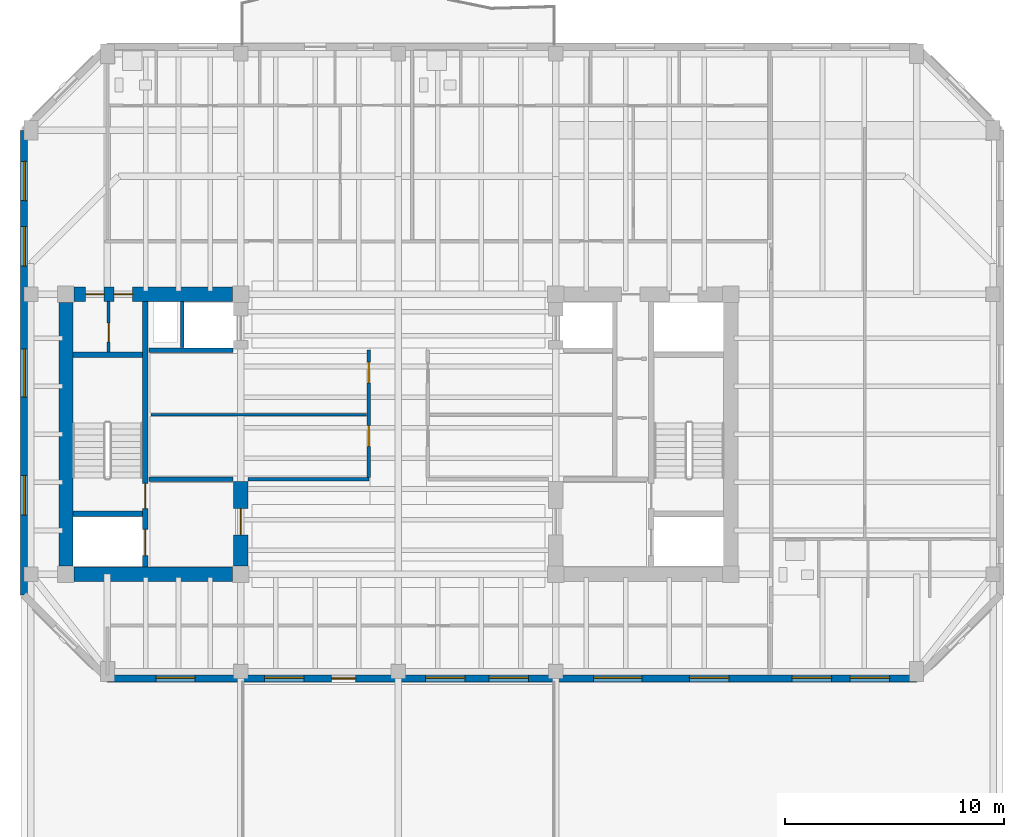
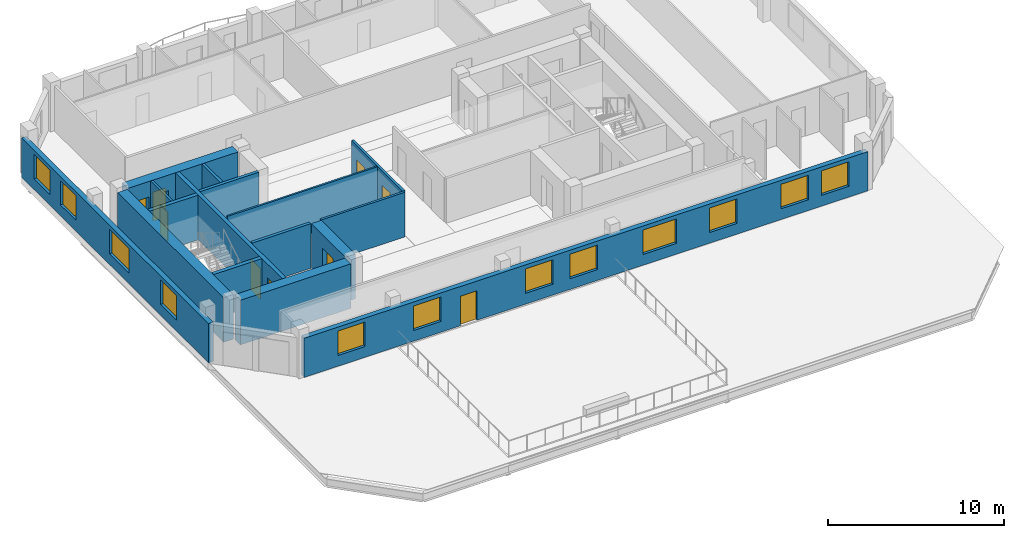
# One storey, part 3 of 10: 16 walls, 12 windows, 9 doors, 21 openings.
"""IFC4 building model written with IfcOpenShell, lengths in metres."""

from ifc_helpers import new_model, si_unit, direction, frame, frame_2d, origin, place, context, subcontext, project, spatial, rectangle, extrude, material, layer, layer_set, type_object, element, fill, save


model = new_model("IFC4")

# Units and contexts
model_context = context("Model", 3, precision=1e-05, world=origin(), true_north=direction((0.0, 1.0)))
body_context = subcontext(model_context, "Body", "Model", "MODEL_VIEW")
ifc_project = project(units=[si_unit("LENGTHUNIT", "METRE"), si_unit("AREAUNIT", "SQUARE_METRE"), si_unit("VOLUMEUNIT", "CUBIC_METRE"), si_unit("PLANEANGLEUNIT", "RADIAN"), si_unit("MASSUNIT", "GRAM", prefix="KILO")], contexts=[model_context])

# Site, building, storey
site_placement = place(None, origin())
site = spatial("IfcSite", under=ifc_project, at=site_placement, CompositionType="ELEMENT")
building_placement = place(site_placement, origin())
building = spatial("IfcBuilding", under=site, at=building_placement, Name="Kranthara Brick Stack", CompositionType="ELEMENT")
storey_placement = place(building_placement, frame((0.0, 0.0, 248.300048828125)))
storey = spatial("IfcBuildingStorey", under=building, at=storey_placement, Name="L65", CompositionType="ELEMENT", Elevation=248.300048828125)

# Wall, openings, door, windows
ifc_material_1 = material(Name="Warm buff clay brick masonry M15", Category="masonry")
ifc_layer_1 = layer(ifc_material_1, 0.320068359375)
ifc_layer_set_1 = layer_set([ifc_layer_1], Name="Warm buff clay brick masonry M15")
wall_type_1 = type_object("IfcWallType", Name="WL-BRK-UPPR-320", PredefinedType="STANDARD", material=ifc_layer_set_1)
wall_1_placement = place(storey_placement, frame((51.699951171875, 16.030029296875, 0.0), z_axis=(0.0, 0.0, 1.0), x_axis=(-1.0, 0.0, 0.0)))
wall_1 = element("IfcWall", 1, at=wall_1_placement, inside=storey, type_object=wall_type_1, Name="L65 Exterior Brick Facade Wall SOUTH 1", PredefinedType="STANDARD", context=body_context, shape_type="SweptSolid", body=[
    extrude(rectangle(XDim=37.0, YDim=0.320068359375, at=frame_2d((18.5, 0.0))), origin(), (0.0, 0.0, 1.0), 2.724853515625),
])
opening_1_placement = place(wall_1_placement, frame((25.64990234375, 0.0, 0.0)))
opening_1 = element("IfcOpeningElement", 2, at=opening_1_placement, cuts=wall_1, Name="Opening D02", PredefinedType="OPENING", context=body_context, shape_type="SweptSolid", body=[
    extrude(rectangle(XDim=1.10009765625, YDim=2.050048828125, at=frame_2d((0.550048828125, 1.02490234375))), frame((0.0, 0.169921875, 0.0), z_axis=(0.0, -1.0, 0.0), x_axis=(1.0, 0.0, 0.0)), (0.0, 0.0, 1.0), 0.340087890625),
])
opening_2_placement = place(wall_1_placement, frame((1.235107421875, 0.0, 0.75)))
opening_2 = element("IfcOpeningElement", 3, at=opening_2_placement, cuts=wall_1, Name="Opening WN07", PredefinedType="OPENING", context=body_context, shape_type="SweptSolid", body=[
    extrude(rectangle(XDim=1.800048828125, YDim=1.699951171875, at=frame_2d((0.89990234375, 0.85009765625))), frame((0.0, 0.169921875, 0.0), z_axis=(0.0, -1.0, 0.0), x_axis=(1.0, 0.0, 0.0)), (0.0, 0.0, 1.0), 0.340087890625),
])
opening_3_placement = place(wall_1_placement, frame((3.885009765625, 0.0, 0.75)))
opening_3 = element("IfcOpeningElement", 4, at=opening_3_placement, cuts=wall_1, Name="Opening WN07", PredefinedType="OPENING", context=body_context, shape_type="SweptSolid", body=[
    extrude(rectangle(XDim=1.800048828125, YDim=1.699951171875, at=frame_2d((0.89990234375, 0.85009765625))), frame((0.0, 0.169921875, 0.0), z_axis=(0.0, -1.0, 0.0), x_axis=(1.0, 0.0, 0.0)), (0.0, 0.0, 1.0), 0.340087890625),
])
opening_4_placement = place(wall_1_placement, frame((8.5830078125, 0.0, 0.75)))
opening_4 = element("IfcOpeningElement", 5, at=opening_4_placement, cuts=wall_1, Name="Opening WN07", PredefinedType="OPENING", context=body_context, shape_type="SweptSolid", body=[
    extrude(rectangle(XDim=1.800048828125, YDim=1.699951171875, at=frame_2d((0.89990234375, 0.85009765625))), frame((0.0, 0.169921875, 0.0), z_axis=(0.0, -1.0, 0.0), x_axis=(1.0, 0.0, 0.0)), (0.0, 0.0, 1.0), 0.340087890625),
])
opening_5_placement = place(wall_1_placement, frame((12.56201171875, 0.0, 0.75)))
opening_5 = element("IfcOpeningElement", 6, at=opening_5_placement, cuts=wall_1, Name="Opening WN08", PredefinedType="OPENING", context=body_context, shape_type="SweptSolid", body=[
    extrude(rectangle(XDim=2.199951171875, YDim=1.699951171875, at=frame_2d((1.10009765625, 0.85009765625))), frame((0.0, 0.169921875, 0.0), z_axis=(0.0, -1.0, 0.0), x_axis=(1.0, 0.0, 0.0)), (0.0, 0.0, 1.0), 0.340087890625),
])
opening_6_placement = place(wall_1_placement, frame((17.748046875, 0.0, 0.75)))
opening_6 = element("IfcOpeningElement", 7, at=opening_6_placement, cuts=wall_1, Name="Opening WN07", PredefinedType="OPENING", context=body_context, shape_type="SweptSolid", body=[
    extrude(rectangle(XDim=1.800048828125, YDim=1.699951171875, at=frame_2d((0.89990234375, 0.85009765625))), frame((0.0, 0.169921875, 0.0), z_axis=(0.0, -1.0, 0.0), x_axis=(1.0, 0.0, 0.0)), (0.0, 0.0, 1.0), 0.340087890625),
])
opening_7_placement = place(wall_1_placement, frame((20.652099609375, 0.0, 0.75)))
opening_7 = element("IfcOpeningElement", 8, at=opening_7_placement, cuts=wall_1, Name="Opening WN07", PredefinedType="OPENING", context=body_context, shape_type="SweptSolid", body=[
    extrude(rectangle(XDim=1.800048828125, YDim=1.699951171875, at=frame_2d((0.89990234375, 0.85009765625))), frame((0.0, 0.169921875, 0.0), z_axis=(0.0, -1.0, 0.0), x_axis=(1.0, 0.0, 0.0)), (0.0, 0.0, 1.0), 0.340087890625),
])
opening_8_placement = place(wall_1_placement, frame((28.012939453125, 0.0, 0.75)))
opening_8 = element("IfcOpeningElement", 9, at=opening_8_placement, cuts=wall_1, Name="Opening WN07", PredefinedType="OPENING", context=body_context, shape_type="SweptSolid", body=[
    extrude(rectangle(XDim=1.800048828125, YDim=1.699951171875, at=frame_2d((0.89990234375, 0.85009765625))), frame((0.0, 0.169921875, 0.0), z_axis=(0.0, -1.0, 0.0), x_axis=(1.0, 0.0, 0.0)), (0.0, 0.0, 1.0), 0.340087890625),
])
opening_9_placement = place(wall_1_placement, frame((32.988037109375, 0.0, 0.75)))
opening_9 = element("IfcOpeningElement", 10, at=opening_9_placement, cuts=wall_1, Name="Opening WN07", PredefinedType="OPENING", context=body_context, shape_type="SweptSolid", body=[
    extrude(rectangle(XDim=1.800048828125, YDim=1.699951171875, at=frame_2d((0.89990234375, 0.85009765625))), frame((0.0, 0.169921875, 0.0), z_axis=(0.0, -1.0, 0.0), x_axis=(1.0, 0.0, 0.0)), (0.0, 0.0, 1.0), 0.340087890625),
])
ifc_material_2 = material(Name="Bronze anodised aluminium and laminated glass", Category="aluminium")
door_type_1 = type_object("IfcDoorType", Name="DR-TERR-1100", OperationType="NOTDEFINED", PredefinedType="DOOR", material=ifc_material_2)
door_1_placement = place(opening_1_placement, origin())
door_1 = element("IfcDoor", 11, at=door_1_placement, inside=storey, type_object=door_type_1, Name="L65 Planted Sky Garden Terrace Door", OperationType="SINGLE_SWING_LEFT", OverallHeight=2.050048828125, OverallWidth=1.10009765625, PredefinedType="DOOR", context=body_context, shape_type="SweptSolid", body=[
    extrude(rectangle(XDim=1.10009765625, YDim=2.050048828125, at=frame_2d((0.550048828125, 1.02490234375))), frame((0.0, 0.02490234375, 0.0), z_axis=(0.0, -1.0, 0.0), x_axis=(1.0, 0.0, 0.0)), (0.0, 0.0, 1.0), 0.050048828125),
])
fill(opening_1, door_1)
ifc_material_3 = material(Name="Double-glazed low-E solar control glass", Category="glass")
window_type_1 = type_object("IfcWindowType", Name="WN-RES-1800x1850", PartitioningType="DOUBLE_PANEL_VERTICAL", PredefinedType="WINDOW", material=ifc_material_3)
window_1_placement = place(opening_2_placement, origin())
window_1 = element("IfcWindow", 12, at=window_1_placement, inside=storey, type_object=window_type_1, Name="L65 South Deep-Set Brick Window 01", OverallHeight=1.699951171875, OverallWidth=1.800048828125, PartitioningType="SINGLE_PANEL", PredefinedType="WINDOW", context=body_context, shape_type="SweptSolid", body=[
    extrude(rectangle(XDim=1.800048828125, YDim=1.699951171875, at=frame_2d((0.89990234375, 0.85009765625))), frame((0.0, -0.010009765625, 0.0), z_axis=(0.0, -1.0, 0.0), x_axis=(1.0, 0.0, 0.0)), (0.0, 0.0, 1.0), 0.06005859375),
])
fill(opening_2, window_1)
window_2_placement = place(opening_3_placement, origin())
window_2 = element("IfcWindow", 13, at=window_2_placement, inside=storey, type_object=window_type_1, Name="L65 South Deep-Set Brick Window 02", OverallHeight=1.699951171875, OverallWidth=1.800048828125, PartitioningType="SINGLE_PANEL", PredefinedType="WINDOW", context=body_context, shape_type="SweptSolid", body=[
    extrude(rectangle(XDim=1.800048828125, YDim=1.699951171875, at=frame_2d((0.89990234375, 0.85009765625))), frame((0.0, -0.010009765625, 0.0), z_axis=(0.0, -1.0, 0.0), x_axis=(1.0, 0.0, 0.0)), (0.0, 0.0, 1.0), 0.06005859375),
])
fill(opening_3, window_2)
window_3_placement = place(opening_4_placement, origin())
window_3 = element("IfcWindow", 14, at=window_3_placement, inside=storey, type_object=window_type_1, Name="L65 South Deep-Set Brick Window 03", OverallHeight=1.699951171875, OverallWidth=1.800048828125, PartitioningType="SINGLE_PANEL", PredefinedType="WINDOW", context=body_context, shape_type="SweptSolid", body=[
    extrude(rectangle(XDim=1.800048828125, YDim=1.699951171875, at=frame_2d((0.89990234375, 0.85009765625))), frame((0.0, -0.010009765625, 0.0), z_axis=(0.0, -1.0, 0.0), x_axis=(1.0, 0.0, 0.0)), (0.0, 0.0, 1.0), 0.06005859375),
])
fill(opening_4, window_3)
window_4_placement = place(opening_6_placement, origin())
window_4 = element("IfcWindow", 15, at=window_4_placement, inside=storey, type_object=window_type_1, Name="L65 South Deep-Set Brick Window 05", OverallHeight=1.699951171875, OverallWidth=1.800048828125, PartitioningType="SINGLE_PANEL", PredefinedType="WINDOW", context=body_context, shape_type="SweptSolid", body=[
    extrude(rectangle(XDim=1.800048828125, YDim=1.699951171875, at=frame_2d((0.89990234375, 0.85009765625))), frame((0.0, -0.010009765625, 0.0), z_axis=(0.0, -1.0, 0.0), x_axis=(1.0, 0.0, 0.0)), (0.0, 0.0, 1.0), 0.06005859375),
])
fill(opening_6, window_4)
window_5_placement = place(opening_7_placement, origin())
window_5 = element("IfcWindow", 16, at=window_5_placement, inside=storey, type_object=window_type_1, Name="L65 South Deep-Set Brick Window 06", OverallHeight=1.699951171875, OverallWidth=1.800048828125, PartitioningType="SINGLE_PANEL", PredefinedType="WINDOW", context=body_context, shape_type="SweptSolid", body=[
    extrude(rectangle(XDim=1.800048828125, YDim=1.699951171875, at=frame_2d((0.89990234375, 0.85009765625))), frame((0.0, -0.010009765625, 0.0), z_axis=(0.0, -1.0, 0.0), x_axis=(1.0, 0.0, 0.0)), (0.0, 0.0, 1.0), 0.06005859375),
])
fill(opening_7, window_5)
window_6_placement = place(opening_8_placement, origin())
window_6 = element("IfcWindow", 17, at=window_6_placement, inside=storey, type_object=window_type_1, Name="L65 South Deep-Set Brick Window 07", OverallHeight=1.699951171875, OverallWidth=1.800048828125, PartitioningType="SINGLE_PANEL", PredefinedType="WINDOW", context=body_context, shape_type="SweptSolid", body=[
    extrude(rectangle(XDim=1.800048828125, YDim=1.699951171875, at=frame_2d((0.89990234375, 0.85009765625))), frame((0.0, -0.010009765625, 0.0), z_axis=(0.0, -1.0, 0.0), x_axis=(1.0, 0.0, 0.0)), (0.0, 0.0, 1.0), 0.06005859375),
])
fill(opening_8, window_6)
window_7_placement = place(opening_9_placement, origin())
window_7 = element("IfcWindow", 18, at=window_7_placement, inside=storey, type_object=window_type_1, Name="L65 South Deep-Set Brick Window 08", OverallHeight=1.699951171875, OverallWidth=1.800048828125, PartitioningType="SINGLE_PANEL", PredefinedType="WINDOW", context=body_context, shape_type="SweptSolid", body=[
    extrude(rectangle(XDim=1.800048828125, YDim=1.699951171875, at=frame_2d((0.89990234375, 0.85009765625))), frame((0.0, -0.010009765625, 0.0), z_axis=(0.0, -1.0, 0.0), x_axis=(1.0, 0.0, 0.0)), (0.0, 0.0, 1.0), 0.06005859375),
])
fill(opening_9, window_7)
ifc_material_4 = material(Name="Double-glazed low-E solar control glass", Category="glass")
window_type_2 = type_object("IfcWindowType", Name="WN-RES-2200x1850", PartitioningType="TRIPLE_PANEL_VERTICAL", PredefinedType="WINDOW", material=ifc_material_4)
window_8_placement = place(opening_5_placement, origin())
window_8 = element("IfcWindow", 19, at=window_8_placement, inside=storey, type_object=window_type_2, Name="L65 South Deep-Set Brick Window 04", OverallHeight=1.699951171875, OverallWidth=2.199951171875, PartitioningType="SINGLE_PANEL", PredefinedType="WINDOW", context=body_context, shape_type="SweptSolid", body=[
    extrude(rectangle(XDim=2.199951171875, YDim=1.699951171875, at=frame_2d((1.10009765625, 0.85009765625))), frame((0.0, -0.010009765625, 0.0), z_axis=(0.0, -1.0, 0.0), x_axis=(1.0, 0.0, 0.0)), (0.0, 0.0, 1.0), 0.06005859375),
])
fill(opening_5, window_8)

# Wall, openings, windows
wall_2_placement = place(storey_placement, frame((10.8798828125, 19.85009765625, 0.0), z_axis=(0.0, 0.0, 1.0), x_axis=(0.0, 1.0, 0.0)))
wall_2 = element("IfcWall", 20, at=wall_2_placement, inside=storey, type_object=wall_type_1, Name="L65 Exterior Brick Facade Wall WEST 1", PredefinedType="STANDARD", context=body_context, shape_type="SweptSolid", body=[
    extrude(rectangle(XDim=21.25, YDim=0.320068359375, at=frame_2d((10.625, 0.0))), origin(), (0.0, 0.0, 1.0), 2.724853515625),
])
opening_10_placement = place(wall_2_placement, frame((3.654052734375, 0.0, 0.75)))
opening_10 = element("IfcOpeningElement", 21, at=opening_10_placement, cuts=wall_2, Name="Opening WN07", PredefinedType="OPENING", context=body_context, shape_type="SweptSolid", body=[
    extrude(rectangle(XDim=1.800048828125, YDim=1.699951171875, at=frame_2d((0.89990234375, 0.85009765625))), frame((0.0, 0.169921875, 0.0), z_axis=(0.0, -1.0, 0.0), x_axis=(1.0, 0.0, 0.0)), (0.0, 0.0, 1.0), 0.340087890625),
])
opening_11_placement = place(wall_2_placement, frame((9.0458984375, 0.0, 0.75)))
opening_11 = element("IfcOpeningElement", 22, at=opening_11_placement, cuts=wall_2, Name="Opening WN08", PredefinedType="OPENING", context=body_context, shape_type="SweptSolid", body=[
    extrude(rectangle(XDim=2.199951171875, YDim=1.699951171875, at=frame_2d((1.10009765625, 0.85009765625))), frame((0.0, 0.169921875, 0.0), z_axis=(0.0, -1.0, 0.0), x_axis=(1.0, 0.0, 0.0)), (0.0, 0.0, 1.0), 0.340087890625),
])
opening_12_placement = place(wall_2_placement, frame((15.04296875, 0.0, 0.75)))
opening_12 = element("IfcOpeningElement", 23, at=opening_12_placement, cuts=wall_2, Name="Opening WN07", PredefinedType="OPENING", context=body_context, shape_type="SweptSolid", body=[
    extrude(rectangle(XDim=1.800048828125, YDim=1.699951171875, at=frame_2d((0.89990234375, 0.85009765625))), frame((0.0, 0.169921875, 0.0), z_axis=(0.0, -1.0, 0.0), x_axis=(1.0, 0.0, 0.0)), (0.0, 0.0, 1.0), 0.340087890625),
])
opening_13_placement = place(wall_2_placement, frame((18.031982421875, 0.0, 0.75)))
opening_13 = element("IfcOpeningElement", 24, at=opening_13_placement, cuts=wall_2, Name="Opening WN07", PredefinedType="OPENING", context=body_context, shape_type="SweptSolid", body=[
    extrude(rectangle(XDim=1.800048828125, YDim=1.699951171875, at=frame_2d((0.89990234375, 0.85009765625))), frame((0.0, 0.169921875, 0.0), z_axis=(0.0, -1.0, 0.0), x_axis=(1.0, 0.0, 0.0)), (0.0, 0.0, 1.0), 0.340087890625),
])
window_9_placement = place(opening_10_placement, origin())
window_9 = element("IfcWindow", 25, at=window_9_placement, inside=storey, type_object=window_type_1, Name="L65 West Deep-Set Brick Window 01", OverallHeight=1.699951171875, OverallWidth=1.800048828125, PartitioningType="SINGLE_PANEL", PredefinedType="WINDOW", context=body_context, shape_type="SweptSolid", body=[
    extrude(rectangle(XDim=1.800048828125, YDim=1.699951171875, at=frame_2d((0.89990234375, 0.85009765625))), frame((0.0, -0.010009765625, 0.0), z_axis=(0.0, -1.0, 0.0), x_axis=(1.0, 0.0, 0.0)), (0.0, 0.0, 1.0), 0.06005859375),
])
fill(opening_10, window_9)
window_10_placement = place(opening_12_placement, origin())
window_10 = element("IfcWindow", 26, at=window_10_placement, inside=storey, type_object=window_type_1, Name="L65 West Deep-Set Brick Window 03", OverallHeight=1.699951171875, OverallWidth=1.800048828125, PartitioningType="SINGLE_PANEL", PredefinedType="WINDOW", context=body_context, shape_type="SweptSolid", body=[
    extrude(rectangle(XDim=1.800048828125, YDim=1.699951171875, at=frame_2d((0.89990234375, 0.85009765625))), frame((0.0, -0.010009765625, 0.0), z_axis=(0.0, -1.0, 0.0), x_axis=(1.0, 0.0, 0.0)), (0.0, 0.0, 1.0), 0.06005859375),
])
fill(opening_12, window_10)
window_11_placement = place(opening_13_placement, origin())
window_11 = element("IfcWindow", 27, at=window_11_placement, inside=storey, type_object=window_type_1, Name="L65 West Deep-Set Brick Window 04", OverallHeight=1.699951171875, OverallWidth=1.800048828125, PartitioningType="SINGLE_PANEL", PredefinedType="WINDOW", context=body_context, shape_type="SweptSolid", body=[
    extrude(rectangle(XDim=1.800048828125, YDim=1.699951171875, at=frame_2d((0.89990234375, 0.85009765625))), frame((0.0, -0.010009765625, 0.0), z_axis=(0.0, -1.0, 0.0), x_axis=(1.0, 0.0, 0.0)), (0.0, 0.0, 1.0), 0.06005859375),
])
fill(opening_13, window_11)
window_12_placement = place(opening_11_placement, origin())
window_12 = element("IfcWindow", 28, at=window_12_placement, inside=storey, type_object=window_type_2, Name="L65 West Deep-Set Brick Window 02", OverallHeight=1.699951171875, OverallWidth=2.199951171875, PartitioningType="SINGLE_PANEL", PredefinedType="WINDOW", context=body_context, shape_type="SweptSolid", body=[
    extrude(rectangle(XDim=2.199951171875, YDim=1.699951171875, at=frame_2d((1.10009765625, 0.85009765625))), frame((0.0, -0.010009765625, 0.0), z_axis=(0.0, -1.0, 0.0), x_axis=(1.0, 0.0, 0.0)), (0.0, 0.0, 1.0), 0.06005859375),
])
fill(opening_11, window_12)

# Wall, openings, doors
ifc_material_5 = material(Name="Concrete C50/60", Category="concrete")
ifc_layer_2 = layer(ifc_material_5, 0.25)
ifc_layer_set_2 = layer_set([ifc_layer_2], Name="Concrete C50/60")
wall_type_2 = type_object("IfcWallType", Name="WL-CORE-250", PredefinedType="SHEAR", material=ifc_layer_set_2)
wall_3_placement = place(storey_placement, frame((16.43505859375, 21.135009765625, 0.0), z_axis=(0.0, 0.0, 1.0), x_axis=(0.0, 1.0, 0.0)))
wall_3 = element("IfcWall", 29, at=wall_3_placement, inside=storey, type_object=wall_type_2, Name="L65 West Core Stair Bearing Spine Wall", PredefinedType="SHEAR", context=body_context, shape_type="SweptSolid", body=[
    extrude(rectangle(XDim=12.1298828125, YDim=0.25, at=frame_2d((6.06494140625, 0.0))), origin(), (0.0, 0.0, 1.0), 3.099853515625),
])
opening_14_placement = place(wall_3_placement, frame((0.514892578125, 0.0, 0.0)))
opening_14 = element("IfcOpeningElement", 30, at=opening_14_placement, cuts=wall_3, Name="Opening LD01", PredefinedType="OPENING", context=body_context, shape_type="SweptSolid", body=[
    extrude(rectangle(XDim=1.199951171875, YDim=2.14990234375, at=frame_2d((0.60009765625, 1.074951171875))), frame((0.0, 0.135009765625, 0.0), z_axis=(0.0, -1.0, 0.0), x_axis=(1.0, 0.0, 0.0)), (0.0, 0.0, 1.0), 0.27001953125),
])
opening_15_placement = place(wall_3_placement, frame((2.6650390625, 0.0, 0.0)))
opening_15 = element("IfcOpeningElement", 31, at=opening_15_placement, cuts=wall_3, Name="Opening D05", PredefinedType="OPENING", context=body_context, shape_type="SweptSolid", body=[
    extrude(rectangle(XDim=1.14990234375, YDim=2.14990234375, at=frame_2d((0.574951171875, 1.074951171875))), frame((0.0, 0.135009765625, 0.0), z_axis=(0.0, -1.0, 0.0), x_axis=(1.0, 0.0, 0.0)), (0.0, 0.0, 1.0), 0.27001953125),
])
ifc_material_6 = material(Name="Stainless steel sliding landing door", Category="steel")
door_type_2 = type_object("IfcDoorType", Name="DR-LD-FF1200", OperationType="DOUBLE_DOOR_SLIDING", PredefinedType="DOOR", material=ifc_material_6)
door_2_placement = place(opening_14_placement, origin())
door_2 = element("IfcDoor", 32, at=door_2_placement, inside=storey, type_object=door_type_2, Name="L65 Firefighting Lift FF-01 Landing Door", OperationType="DOUBLE_DOOR_SLIDING", OverallHeight=2.14990234375, OverallWidth=1.199951171875, PredefinedType="DOOR", context=body_context, shape_type="SweptSolid", body=[
    extrude(rectangle(XDim=1.199951171875, YDim=2.14990234375, at=frame_2d((0.60009765625, 1.074951171875))), frame((0.0, 0.02490234375, 0.0), z_axis=(0.0, -1.0, 0.0), x_axis=(1.0, 0.0, 0.0)), (0.0, 0.0, 1.0), 0.050048828125),
])
fill(opening_14, door_2)
ifc_material_7 = material(Name="Solid-core hardwood timber leaf in steel frame", Category="steel")
door_type_3 = type_object("IfcDoorType", Name="DR-ST-1150", OperationType="NOTDEFINED", PredefinedType="DOOR", material=ifc_material_7)
door_3_placement = place(opening_15_placement, origin())
door_3 = element("IfcDoor", 33, at=door_3_placement, inside=storey, type_object=door_type_3, Name="L65 Exit Stair ST01 Door", OperationType="SINGLE_SWING_RIGHT", OverallHeight=2.14990234375, OverallWidth=1.14990234375, PredefinedType="DOOR", context=body_context, shape_type="SweptSolid", body=[
    extrude(rectangle(XDim=1.14990234375, YDim=2.14990234375, at=frame_2d((0.574951171875, 1.074951171875))), frame((0.0, 0.02490234375, 0.0), z_axis=(0.0, -1.0, 0.0), x_axis=(1.0, 0.0, 0.0)), (0.0, 0.0, 1.0), 0.050048828125),
])
fill(opening_15, door_3)

# Walls
for number, where, z_axis, x_axis, name in (
    (34, (13.135009765625, 23.570068359375, 0.0), (0.0, 0.0, 1.0), (1.0, 0.0, 0.0), "L65 West Stairwell Bearing Wall WFF"),
    (35, (13.135009765625, 30.830078125, 0.0), (0.0, 0.0, 1.0), (1.0, 0.0, 0.0), "L65 West Stairwell Bearing Wall WST"),
):
    element("IfcWall", number, at=place(storey_placement, frame(where, z_axis=z_axis, x_axis=x_axis)), inside=storey, type_object=wall_type_2, Name=name, PredefinedType="SHEAR", context=body_context, shape_type="SweptSolid", body=[
        extrude(rectangle(XDim=3.175048828125, YDim=0.25, at=frame_2d((1.58740234375, 0.0))), origin(), (0.0, 0.0, 1.0), 3.099853515625),
    ])
ifc_material_8 = material(Name="Concrete C60/75", Category="concrete")
ifc_layer_3 = layer(ifc_material_8, 0.64990234375)
ifc_layer_set_3 = layer_set([ifc_layer_3], Name="Concrete C60/75")
wall_type_3 = type_object("IfcWallType", Name="WL-CORE-650", PredefinedType="SHEAR", material=ifc_layer_set_3)
wall_4_placement = place(storey_placement, frame((12.800048828125, 21.179931640625, 0.0), z_axis=(0.0, 0.0, 1.0), x_axis=(0.0, 1.0, 0.0)))
element("IfcWall", 36, at=wall_4_placement, inside=storey, type_object=wall_type_3, Name="L65 West Core Shear Wall West", PredefinedType="SHEAR", context=body_context, shape_type="SweptSolid", body=[
    extrude(rectangle(XDim=12.0400390625, YDim=0.64990234375, at=frame_2d((6.02001953125, 0.0))), origin(), (0.0, 0.0, 1.0), 3.099853515625),
])
wall_5_placement = place(storey_placement, frame((13.179931640625, 20.800048828125, 0.0), z_axis=(0.0, 0.0, 1.0), x_axis=(1.0, 0.0, 0.0)))
element("IfcWall", 37, at=wall_5_placement, inside=storey, type_object=wall_type_3, Name="L65 West Core Shear Wall South", PredefinedType="SHEAR", context=body_context, shape_type="SweptSolid", body=[
    extrude(rectangle(XDim=7.239990234375, YDim=0.64990234375, at=frame_2d((3.6201171875, 0.0))), origin(), (0.0, 0.0, 1.0), 3.099853515625),
])

# Wall, openings, doors
wall_6_placement = place(storey_placement, frame((13.179931640625, 33.60009765625, 0.0), z_axis=(0.0, 0.0, 1.0), x_axis=(1.0, 0.0, 0.0)))
wall_6 = element("IfcWall", 38, at=wall_6_placement, inside=storey, type_object=wall_type_3, Name="L65 West Core Shear Wall North", PredefinedType="SHEAR", context=body_context, shape_type="SweptSolid", body=[
    extrude(rectangle(XDim=7.239990234375, YDim=0.64990234375, at=frame_2d((3.6201171875, 0.0))), origin(), (0.0, 0.0, 1.0), 3.099853515625),
])
opening_16_placement = place(wall_6_placement, frame((0.52001953125, 0.0, 0.0)))
opening_16 = element("IfcOpeningElement", 39, at=opening_16_placement, cuts=wall_6, Name="Opening D10", PredefinedType="OPENING", context=body_context, shape_type="SweptSolid", body=[
    extrude(rectangle(XDim=0.85009765625, YDim=2.02001953125, at=frame_2d((0.425048828125, 1.010009765625))), frame((0.0, 0.3349609375, 0.0), z_axis=(0.0, -1.0, 0.0), x_axis=(1.0, 0.0, 0.0)), (0.0, 0.0, 1.0), 0.669921875),
])
opening_17_placement = place(wall_6_placement, frame((1.820068359375, 0.0, 0.0)))
opening_17 = element("IfcOpeningElement", 40, at=opening_17_placement, cuts=wall_6, Name="Opening D10", PredefinedType="OPENING", context=body_context, shape_type="SweptSolid", body=[
    extrude(rectangle(XDim=0.85009765625, YDim=2.02001953125, at=frame_2d((0.425048828125, 1.010009765625))), frame((0.0, 0.3349609375, 0.0), z_axis=(0.0, -1.0, 0.0), x_axis=(1.0, 0.0, 0.0)), (0.0, 0.0, 1.0), 0.669921875),
])
ifc_material_9 = material(Name="Solid-core hardwood timber leaf in steel frame", Category="steel")
door_type_4 = type_object("IfcDoorType", Name="DR-RSR-850", OperationType="NOTDEFINED", PredefinedType="DOOR", material=ifc_material_9)
door_4_placement = place(opening_16_placement, origin())
door_4 = element("IfcDoor", 41, at=door_4_placement, inside=storey, type_object=door_type_4, Name="L65 West Core Service Door 1", OperationType="SINGLE_SWING_LEFT", OverallHeight=2.02001953125, OverallWidth=0.85009765625, PredefinedType="DOOR", context=body_context, shape_type="SweptSolid", body=[
    extrude(rectangle(XDim=0.85009765625, YDim=2.02001953125, at=frame_2d((0.425048828125, 1.010009765625))), frame((0.0, 0.02490234375, 0.0), z_axis=(0.0, -1.0, 0.0), x_axis=(1.0, 0.0, 0.0)), (0.0, 0.0, 1.0), 0.050048828125),
])
fill(opening_16, door_4)
door_5_placement = place(opening_17_placement, origin())
door_5 = element("IfcDoor", 42, at=door_5_placement, inside=storey, type_object=door_type_4, Name="L65 West Core Service Door 2", OperationType="SINGLE_SWING_RIGHT", OverallHeight=2.02001953125, OverallWidth=0.85009765625, PredefinedType="DOOR", context=body_context, shape_type="SweptSolid", body=[
    extrude(rectangle(XDim=0.85009765625, YDim=2.02001953125, at=frame_2d((0.425048828125, 1.010009765625))), frame((0.0, 0.02490234375, 0.0), z_axis=(0.0, -1.0, 0.0), x_axis=(1.0, 0.0, 0.0)), (0.0, 0.0, 1.0), 0.050048828125),
])
fill(opening_17, door_5)

# Wall, opening, door
wall_7_placement = place(storey_placement, frame((20.800048828125, 21.179931640625, 0.0), z_axis=(0.0, 0.0, 1.0), x_axis=(0.0, 1.0, 0.0)))
wall_7 = element("IfcWall", 43, at=wall_7_placement, inside=storey, type_object=wall_type_3, Name="L65 West Core Lobby Shear Wall", PredefinedType="SHEAR", context=body_context, shape_type="SweptSolid", body=[
    extrude(rectangle(XDim=3.8701171875, YDim=0.64990234375, at=frame_2d((1.93505859375, 0.0))), origin(), (0.0, 0.0, 1.0), 3.099853515625),
])
opening_18_placement = place(wall_7_placement, frame((1.419921875, 0.0, 0.0)))
opening_18 = element("IfcOpeningElement", 44, at=opening_18_placement, cuts=wall_7, Name="Opening D06", PredefinedType="OPENING", context=body_context, shape_type="SweptSolid", body=[
    extrude(rectangle(XDim=1.199951171875, YDim=2.14990234375, at=frame_2d((0.60009765625, 1.074951171875))), frame((0.0, 0.3349609375, 0.0), z_axis=(0.0, -1.0, 0.0), x_axis=(1.0, 0.0, 0.0)), (0.0, 0.0, 1.0), 0.669921875),
])
ifc_material_10 = material(Name="Solid-core hardwood timber leaf in steel frame", Category="steel")
door_type_5 = type_object("IfcDoorType", Name="DR-FFL-1200", OperationType="NOTDEFINED", PredefinedType="DOOR", material=ifc_material_10)
door_6_placement = place(opening_18_placement, origin())
door_6 = element("IfcDoor", 45, at=door_6_placement, inside=storey, type_object=door_type_5, Name="L65 West Firefighting Lobby Door", OperationType="SINGLE_SWING_LEFT", OverallHeight=2.14990234375, OverallWidth=1.199951171875, PredefinedType="DOOR", context=body_context, shape_type="SweptSolid", body=[
    extrude(rectangle(XDim=1.199951171875, YDim=2.14990234375, at=frame_2d((0.60009765625, 1.074951171875))), frame((0.0, 0.02490234375, 0.0), z_axis=(0.0, -1.0, 0.0), x_axis=(1.0, 0.0, 0.0)), (0.0, 0.0, 1.0), 0.050048828125),
])
fill(opening_18, door_6)

# Wall
ifc_material_11 = material(Name="Acoustic gypsum plasterboard partition", Category="other")
ifc_layer_4 = layer(ifc_material_11, 0.1201171875)
ifc_layer_set_4 = layer_set([ifc_layer_4], Name="Acoustic gypsum plasterboard partition")
wall_type_4 = type_object("IfcWallType", Name="WL-PART-120", PredefinedType="PARTITIONING", material=ifc_layer_set_4)
wall_8_placement = place(storey_placement, frame((16.699951171875, 28.10009765625, 0.0), z_axis=(0.0, 0.0, 1.0), x_axis=(1.0, 0.0, 0.0)))
element("IfcWall", 46, at=wall_8_placement, inside=storey, type_object=wall_type_4, Name="L65 Interior Partition 007", PredefinedType="PARTITIONING", context=body_context, shape_type="SweptSolid", body=[
    extrude(rectangle(XDim=9.85009765625, YDim=0.1201171875, at=frame_2d((4.925048828125, 0.0))), origin(), (0.0, 0.0, 1.0), 3.099853515625),
])

# Wall, opening, door
ifc_material_12 = material(Name="Fire-rated gypsum board partition", Category="other")
ifc_layer_5 = layer(ifc_material_12, 0.14990234375)
ifc_layer_set_5 = layer_set([ifc_layer_5], Name="Fire-rated gypsum board partition")
wall_type_5 = type_object("IfcWallType", Name="WL-PART-150", PredefinedType="PARTITIONING", material=ifc_layer_set_5)
wall_9_placement = place(storey_placement, frame((14.75, 30.9599609375, 0.0), z_axis=(0.0, 0.0, 1.0), x_axis=(0.0, 1.0, 0.0)))
wall_9 = element("IfcWall", 47, at=wall_9_placement, inside=storey, type_object=wall_type_5, Name="L65 Interior Partition 001", PredefinedType="PARTITIONING", context=body_context, shape_type="SweptSolid", body=[
    extrude(rectangle(XDim=2.31005859375, YDim=0.14990234375, at=frame_2d((1.155029296875, 0.0))), origin(), (0.0, 0.0, 1.0), 3.099853515625),
])
opening_19_placement = place(wall_9_placement, frame((0.469970703125, 0.0, 0.0)))
opening_19 = element("IfcOpeningElement", 48, at=opening_19_placement, cuts=wall_9, Name="Opening D10", PredefinedType="OPENING", context=body_context, shape_type="SweptSolid", body=[
    extrude(rectangle(XDim=0.85009765625, YDim=2.02001953125, at=frame_2d((0.425048828125, 1.010009765625))), frame((0.0, 0.0849609375, 0.0), z_axis=(0.0, -1.0, 0.0), x_axis=(1.0, 0.0, 0.0)), (0.0, 0.0, 1.0), 0.169921875),
])
door_7_placement = place(opening_19_placement, origin())
door_7 = element("IfcDoor", 49, at=door_7_placement, inside=storey, type_object=door_type_4, Name="L65 Service Interconnect 01", OperationType="SINGLE_SWING_LEFT", OverallHeight=2.02001953125, OverallWidth=0.85009765625, PredefinedType="DOOR", context=body_context, shape_type="SweptSolid", body=[
    extrude(rectangle(XDim=0.85009765625, YDim=2.02001953125, at=frame_2d((0.425048828125, 1.010009765625))), frame((0.0, 0.02490234375, 0.0), z_axis=(0.0, -1.0, 0.0), x_axis=(1.0, 0.0, 0.0)), (0.0, 0.0, 1.0), 0.050048828125),
])
fill(opening_19, door_7)

# Wall
wall_10_placement = place(storey_placement, frame((21.1298828125, 25.14990234375, 0.0), z_axis=(0.0, 0.0, 1.0), x_axis=(1.0, 0.0, 0.0)))
element("IfcWall", 50, at=wall_10_placement, inside=storey, type_object=wall_type_5, Name="L65 Interior Partition 004", PredefinedType="PARTITIONING", context=body_context, shape_type="SweptSolid", body=[
    extrude(rectangle(XDim=5.52001953125, YDim=0.14990234375, at=frame_2d((2.760009765625, 0.0))), origin(), (0.0, 0.0, 1.0), 3.099853515625),
])

# Wall, openings, doors
wall_11_placement = place(storey_placement, frame((26.64990234375, 25.22998046875, 0.0), z_axis=(0.0, 0.0, 1.0), x_axis=(0.0, 1.0, 0.0)))
wall_11 = element("IfcWall", 51, at=wall_11_placement, inside=storey, type_object=wall_type_5, Name="L65 Interior Partition 006", PredefinedType="PARTITIONING", context=body_context, shape_type="SweptSolid", body=[
    extrude(rectangle(XDim=5.820068359375, YDim=0.14990234375, at=frame_2d((2.91015625, 0.0))), origin(), (0.0, 0.0, 1.0), 3.099853515625),
])
opening_20_placement = place(wall_11_placement, frame((1.419921875, 0.0, 0.0)))
opening_20 = element("IfcOpeningElement", 52, at=opening_20_placement, cuts=wall_11, Name="Opening D09", PredefinedType="OPENING", context=body_context, shape_type="SweptSolid", body=[
    extrude(rectangle(XDim=0.949951171875, YDim=2.10009765625, at=frame_2d((0.47509765625, 1.050048828125))), frame((0.0, 0.0849609375, 0.0), z_axis=(0.0, -1.0, 0.0), x_axis=(1.0, 0.0, 0.0)), (0.0, 0.0, 1.0), 0.169921875),
])
opening_21_placement = place(wall_11_placement, frame((4.320068359375, 0.0, 0.0)))
opening_21 = element("IfcOpeningElement", 53, at=opening_21_placement, cuts=wall_11, Name="Opening D09", PredefinedType="OPENING", context=body_context, shape_type="SweptSolid", body=[
    extrude(rectangle(XDim=0.949951171875, YDim=2.10009765625, at=frame_2d((0.47509765625, 1.050048828125))), frame((0.0, 0.0849609375, 0.0), z_axis=(0.0, -1.0, 0.0), x_axis=(1.0, 0.0, 0.0)), (0.0, 0.0, 1.0), 0.169921875),
])
ifc_material_13 = material(Name="Solid-core hardwood timber leaf in steel frame", Category="steel")
door_type_6 = type_object("IfcDoorType", Name="DR-FD-950", OperationType="NOTDEFINED", PredefinedType="DOOR", material=ifc_material_13)
door_8_placement = place(opening_20_placement, origin())
door_8 = element("IfcDoor", 54, at=door_8_placement, inside=storey, type_object=door_type_6, Name="L65 Residents Study A 04", OperationType="SINGLE_SWING_RIGHT", OverallHeight=2.10009765625, OverallWidth=0.949951171875, PredefinedType="DOOR", context=body_context, shape_type="SweptSolid", body=[
    extrude(rectangle(XDim=0.949951171875, YDim=2.10009765625, at=frame_2d((0.47509765625, 1.050048828125))), frame((0.0, 0.02490234375, 0.0), z_axis=(0.0, -1.0, 0.0), x_axis=(1.0, 0.0, 0.0)), (0.0, 0.0, 1.0), 0.050048828125),
])
fill(opening_20, door_8)
door_9_placement = place(opening_21_placement, origin())
door_9 = element("IfcDoor", 55, at=door_9_placement, inside=storey, type_object=door_type_6, Name="L65 Residents Media Room 05", OperationType="SINGLE_SWING_LEFT", OverallHeight=2.10009765625, OverallWidth=0.949951171875, PredefinedType="DOOR", context=body_context, shape_type="SweptSolid", body=[
    extrude(rectangle(XDim=0.949951171875, YDim=2.10009765625, at=frame_2d((0.47509765625, 1.050048828125))), frame((0.0, 0.02490234375, 0.0), z_axis=(0.0, -1.0, 0.0), x_axis=(1.0, 0.0, 0.0)), (0.0, 0.0, 1.0), 0.050048828125),
])
fill(opening_21, door_9)

# Walls
ifc_material_14 = material(Name="Gypsum plasterboard on acoustic twin stud", Category="other")
ifc_layer_6 = layer(ifc_material_14, 0.179931640625)
ifc_layer_set_6 = layer_set([ifc_layer_6], Name="Gypsum plasterboard on acoustic twin stud")
wall_type_6 = type_object("IfcWallType", Name="WL-PART-180", PredefinedType="PARTITIONING", material=ifc_layer_set_6)
wall_12_placement = place(storey_placement, frame((18.1201171875, 31.169921875, 0.0), z_axis=(0.0, 0.0, 1.0), x_axis=(0.0, 1.0, 0.0)))
element("IfcWall", 56, at=wall_12_placement, inside=storey, type_object=wall_type_6, Name="L65 PL-07 Shaft Back Wall", PredefinedType="PARTITIONING", context=body_context, shape_type="SweptSolid", body=[
    extrude(rectangle(XDim=2.094970703125, YDim=0.179931640625, at=frame_2d((1.04736328125, 0.0))), origin(), (0.0, 0.0, 1.0), 3.099853515625),
])
ifc_material_15 = material(Name="Concrete C40/50", Category="concrete")
ifc_layer_7 = layer(ifc_material_15, 0.199951171875)
ifc_layer_set_7 = layer_set([ifc_layer_7], Name="Concrete C40/50")
wall_type_7 = type_object("IfcWallType", Name="WL-PART-200", PredefinedType="SOLIDWALL", material=ifc_layer_set_7)
for number, where, z_axis, x_axis, name in (
    (57, (16.60009765625, 25.14990234375, 0.0), (0.0, 0.0, 1.0), (1.0, 0.0, 0.0), "L65 West Core Cross Wall WFL"),
    (58, (16.60009765625, 31.050048828125, 0.0), (0.0, 0.0, 1.0), (1.0, 0.0, 0.0), "L65 West Core Cross Wall WH4"),
):
    element("IfcWall", number, at=place(storey_placement, frame(where, z_axis=z_axis, x_axis=x_axis)), inside=storey, type_object=wall_type_7, Name=name, PredefinedType="SOLIDWALL", context=body_context, shape_type="SweptSolid", body=[
        extrude(rectangle(XDim=3.849853515625, YDim=0.199951171875, at=frame_2d((1.9248046875, 0.0))), origin(), (0.0, 0.0, 1.0), 3.099853515625),
    ])

save(model, "model.ifc")
